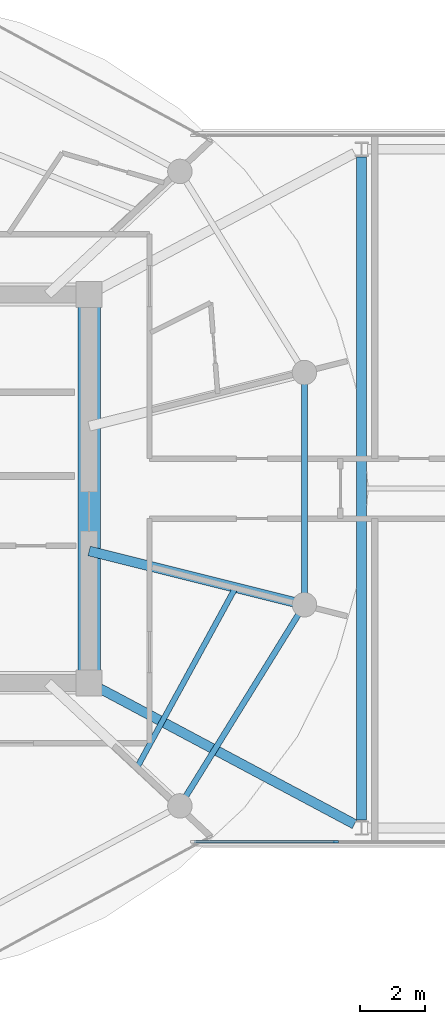
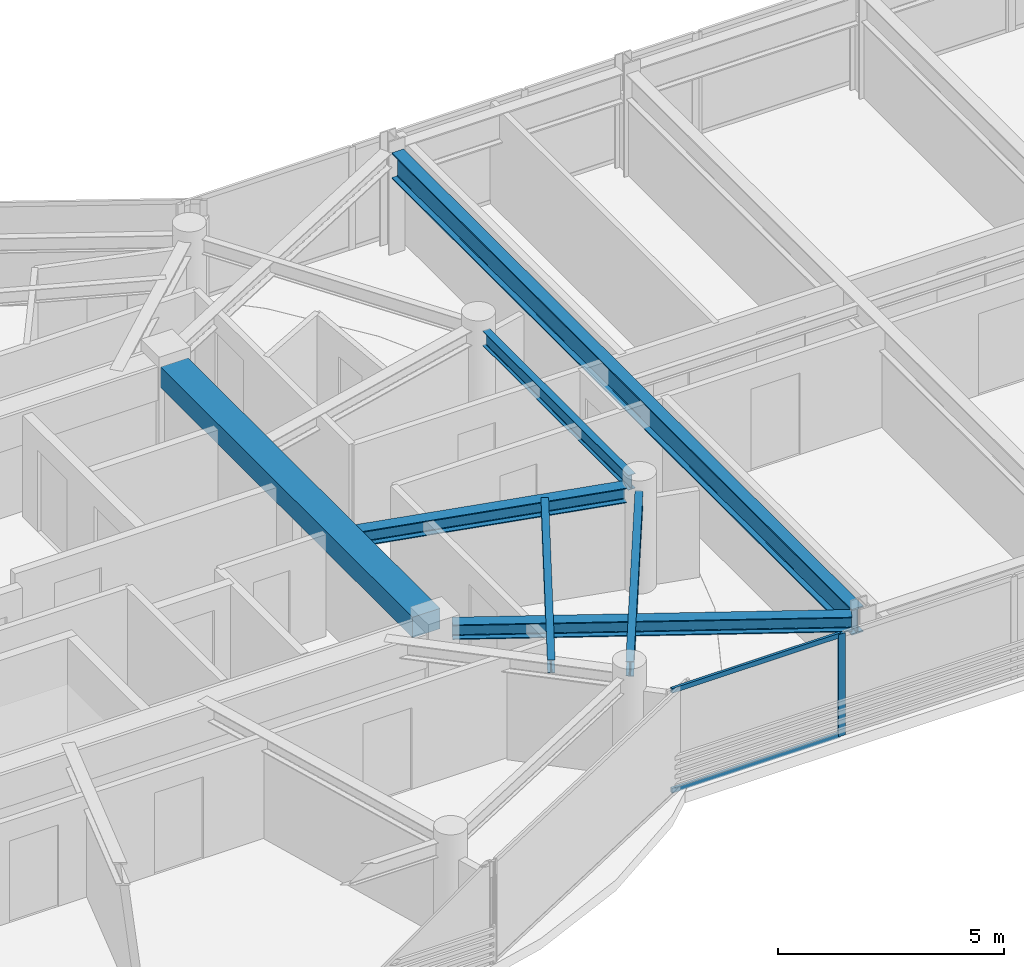
# One storey, part 4 of 24: 7 beams, 3 members, 1 element without a shape of its own.
"""IFC4 building model written with IfcOpenShell, lengths in metres."""

from ifc_helpers import new_model, si_unit, direction, frame, origin, origin_2d, place, context, subcontext, project, spatial, rectangle, i_section, extrude, source, transform, mapped, material, layer, layer_set, material_profile, profile_set, type_object, type_shapes, element, aggregate, save


model = new_model("IFC4")

# Units and contexts
model_context = context("Model", 3, precision=1e-05, world=origin(), true_north=direction((0.0, 1.0)))
body_context = subcontext(model_context, "Body", "Model", "MODEL_VIEW")
ifc_project = project(units=[si_unit("LENGTHUNIT", "METRE"), si_unit("AREAUNIT", "SQUARE_METRE"), si_unit("VOLUMEUNIT", "CUBIC_METRE"), si_unit("PLANEANGLEUNIT", "RADIAN"), si_unit("MASSUNIT", "GRAM", prefix="KILO")], contexts=[model_context])

# Site, building, storey
site_placement = place(None, origin())
site = spatial("IfcSite", under=ifc_project, at=site_placement, CompositionType="ELEMENT")
building_placement = place(site_placement, origin())
building = spatial("IfcBuilding", under=site, at=building_placement, Name="Norrkilde Senior Care Towers", CompositionType="ELEMENT")
storey_placement = place(building_placement, frame((0.0, 0.0, 213.89990234375)))
storey = spatial("IfcBuildingStorey", under=building, at=storey_placement, Name="L66", CompositionType="ELEMENT", Elevation=213.89990234375)

# Beams
ifc_material_1 = material(Name="Concrete C60/75", Category="concrete")
ifc_material_profile_1 = material_profile(ifc_material_1, rectangle(XDim=0.699951171875, YDim=0.550048828125, at=origin_2d()), Name="RC BM 700x550")
ifc_profile_set_1 = profile_set([ifc_material_profile_1], Name="Concrete C60/75")
beam_type_1 = type_object("IfcBeamType", Name="Core Portal Coupling Beam 700x550", PredefinedType="USERDEFINED", material=ifc_profile_set_1)
shared_shape_1 = source(origin(), body_context, "Body", "SweptSolid", [
    extrude(rectangle(XDim=0.699951171875, YDim=0.550048828125, at=origin_2d()), origin(), (0.0, 0.0, 1.0), 11.14013671875),
])
type_shapes(beam_type_1, [shared_shape_1])
beam_1_placement = place(storey_placement, frame((-20.35009765625, -5.570068359375, 2.485107421875), z_axis=(0.0, 1.0, 0.0), x_axis=(-1.0, 0.0, 0.0)))
element("IfcBeam", 1, at=beam_1_placement, inside=storey, type_object=beam_type_1, Name="L66 Core W E Coupling Girder", ObjectType="GIRDER", PredefinedType="USERDEFINED", context=body_context, shape_type="MappedRepresentation", body=[
    mapped(shared_shape_1, transform((0.0, 0.0, 0.0), x_axis=(1.0, 0.0, 0.0), y_axis=(0.0, 1.0, 0.0), z_axis=(0.0, 0.0, 1.0), scale=1.0)),
])
ifc_material_2 = material(Name="Steel S355", Category="steel")
ifc_material_profile_2 = material_profile(ifc_material_2, i_section(OverallWidth=0.179931640625, OverallDepth=0.39990234375, WebThickness=0.008544921875, FlangeThickness=0.013427734375, FilletRadius=0.02099609375, at=origin_2d()), Name="IPE 400")
ifc_profile_set_2 = profile_set([ifc_material_profile_2], Name="Steel S355")
beam_type_2 = type_object("IfcBeamType", Name="Perimeter Ring Spandrel Z4 IPE400", PredefinedType="SPANDREL", material=ifc_profile_set_2)
shared_shape_2 = source(origin(), body_context, "Body", "SweptSolid", [
    extrude(i_section(OverallWidth=0.179931640625, OverallDepth=0.39990234375, WebThickness=0.008544921875, FlangeThickness=0.013427734375, FilletRadius=0.02099609375, at=origin_2d()), origin(), (0.0, 0.0, 1.0), 6.58056640625),
])
beam_2_placement = place(storey_placement, frame((-17.393798828125, -9.43798828125, 2.56005859375), z_axis=(0.526529583789, 0.850156807533, 0.0), x_axis=(-0.850156807533, 0.526529583789, 0.0)))
element("IfcBeam", 2, at=beam_2_placement, inside=storey, type_object=beam_type_2, Name="L66 Drum W Perimeter Spandrel 11", PredefinedType="SPANDREL", context=body_context, shape_type="MappedRepresentation", body=[
    mapped(shared_shape_2, transform((0.0, 0.0, 0.0), x_axis=(1.0, 0.0, 0.0), y_axis=(0.0, 1.0, 0.0), z_axis=(0.0, 0.0, 1.0), scale=1.0)),
])
ifc_material_profile_3 = material_profile(ifc_material_2, i_section(OverallWidth=0.300048828125, OverallDepth=0.39990234375, WebThickness=0.013427734375, FlangeThickness=0.02392578125, FilletRadius=0.027099609375, at=origin_2d()), Name="HEB 400")
ifc_profile_set_3 = profile_set([ifc_material_profile_3], Name="Steel S355")
beam_type_3 = type_object("IfcBeamType", Name="Radial Floor Beam Z4 HEB400", PredefinedType="BEAM", material=ifc_profile_set_3)
shared_shape_3 = source(origin(), body_context, "Body", "SweptSolid", [
    extrude(i_section(OverallWidth=0.300048828125, OverallDepth=0.39990234375, WebThickness=0.013427734375, FlangeThickness=0.02392578125, FilletRadius=0.027099609375, at=origin_2d()), origin(), (0.0, 0.0, 1.0), 6.465087890625),
])
beam_3_placement = place(storey_placement, frame((-20.35009765625, -1.910888671875, 2.56005859375), z_axis=(0.970195788563, -0.242322371758, 0.0), x_axis=(0.242322371758, 0.970195788563, 0.0)))
element("IfcBeam", 3, at=beam_3_placement, inside=storey, type_object=beam_type_3, Name="L66 Drum W Radial Floor Beam 12", PredefinedType="BEAM", context=body_context, shape_type="MappedRepresentation", body=[
    mapped(shared_shape_3, transform((0.0, 0.0, 0.0), x_axis=(1.0, 0.0, 0.0), y_axis=(0.0, 1.0, 0.0), z_axis=(0.0, 0.0, 1.0), scale=1.0)),
])
shared_shape_4 = source(origin(), body_context, "Body", "SweptSolid", [
    extrude(i_section(OverallWidth=0.179931640625, OverallDepth=0.39990234375, WebThickness=0.008544921875, FlangeThickness=0.013427734375, FilletRadius=0.02099609375, at=origin_2d()), origin(), (0.0, 0.0, 1.0), 6.44775390625),
])
type_shapes(beam_type_2, [shared_shape_2, shared_shape_4])
beam_4_placement = place(storey_placement, frame((-13.752685546875, -3.223876953125, 2.56005859375), z_axis=(0.0, 1.0, 0.0), x_axis=(-1.0, 0.0, 0.0)))
element("IfcBeam", 4, at=beam_4_placement, inside=storey, type_object=beam_type_2, Name="L66 Drum W Perimeter Spandrel 12", PredefinedType="SPANDREL", context=body_context, shape_type="MappedRepresentation", body=[
    mapped(shared_shape_4, transform((0.0, 0.0, 0.0), x_axis=(1.0, 0.0, 0.0), y_axis=(0.0, 1.0, 0.0), z_axis=(0.0, 0.0, 1.0), scale=1.0)),
])
ifc_material_profile_4 = material_profile(ifc_material_2, i_section(OverallWidth=0.169921875, OverallDepth=0.360107421875, WebThickness=0.008056640625, FlangeThickness=0.0126953125, FilletRadius=0.01806640625, at=origin_2d()), Name="IPE 360")
ifc_profile_set_4 = profile_set([ifc_material_profile_4], Name="Steel S355")
beam_type_4 = type_object("IfcBeamType", Name="Secondary Floor Joist IPE360", PredefinedType="JOIST", material=ifc_profile_set_4)
shared_shape_5 = source(origin(), body_context, "Body", "SweptSolid", [
    extrude(i_section(OverallWidth=0.169921875, OverallDepth=0.360107421875, WebThickness=0.008056640625, FlangeThickness=0.0126953125, FilletRadius=0.01806640625, at=origin_2d()), origin(), (0.0, 0.0, 1.0), 6.25146484375),
])
type_shapes(beam_type_4, [shared_shape_5])
beam_5_placement = place(storey_placement, frame((-18.865234375, -8.515380859375, 2.580078125), z_axis=(0.480115752653, 0.877205143655, 0.0), x_axis=(-0.877205143655, 0.480115752653, 0.0)))
element("IfcBeam", 5, at=beam_5_placement, inside=storey, type_object=beam_type_4, Name="L66 Drum W Secondary Floor Joist 4", PredefinedType="JOIST", context=body_context, shape_type="MappedRepresentation", body=[
    mapped(shared_shape_5, transform((0.0, 0.0, 0.0), x_axis=(1.0, 0.0, 0.0), y_axis=(0.0, 1.0, 0.0), z_axis=(0.0, 0.0, 1.0), scale=1.0)),
])
ifc_material_profile_5 = material_profile(ifc_material_2, i_section(OverallWidth=0.300048828125, OverallDepth=0.699951171875, WebThickness=0.01708984375, FlangeThickness=0.031982421875, FilletRadius=0.027099609375, at=origin_2d()), Name="HEB 700")
ifc_profile_set_5 = profile_set([ifc_material_profile_5], Name="Steel S355")
beam_type_5 = type_object("IfcBeamType", Name="Bridge Cross Girder HEB700", PredefinedType="USERDEFINED", material=ifc_profile_set_5)
shared_shape_6 = source(origin(), body_context, "Body", "SweptSolid", [
    extrude(i_section(OverallWidth=0.300048828125, OverallDepth=0.699951171875, WebThickness=0.01708984375, FlangeThickness=0.031982421875, FilletRadius=0.027099609375, at=origin_2d()), origin(), (0.0, 0.0, 1.0), 20.31982421875),
])
type_shapes(beam_type_5, [shared_shape_6])
beam_6_placement = place(storey_placement, frame((-12.0, -10.159912109375, 2.41015625), z_axis=(0.0, 1.0, 0.0), x_axis=(-1.0, 0.0, 0.0)))
element("IfcBeam", 6, at=beam_6_placement, inside=storey, type_object=beam_type_5, Name="L66 Sky-Gate Bridge Cross Girder -12", ObjectType="GIRDER", PredefinedType="USERDEFINED", context=body_context, shape_type="MappedRepresentation", body=[
    mapped(shared_shape_6, transform((0.0, 0.0, 0.0), x_axis=(1.0, 0.0, 0.0), y_axis=(0.0, 1.0, 0.0), z_axis=(0.0, 0.0, 1.0), scale=1.0)),
])
shared_shape_7 = source(origin(), body_context, "Body", "SweptSolid", [
    extrude(i_section(OverallWidth=0.300048828125, OverallDepth=0.39990234375, WebThickness=0.013427734375, FlangeThickness=0.02392578125, FilletRadius=0.027099609375, at=origin_2d()), origin(), (0.0, 0.0, 1.0), 8.831787109375),
])
type_shapes(beam_type_3, [shared_shape_3, shared_shape_7])
beam_7_placement = place(storey_placement, frame((-20.0146484375, -6.128662109375, 2.56005859375), z_axis=(0.882492172381, -0.470327083727, 0.0), x_axis=(0.470327083727, 0.882492172381, 0.0)))
element("IfcBeam", 7, at=beam_7_placement, inside=storey, type_object=beam_type_3, Name="L66 Sky-Gate Bridge Girder S1", PredefinedType="BEAM", context=body_context, shape_type="MappedRepresentation", body=[
    mapped(shared_shape_7, transform((0.0, 0.0, 0.0), x_axis=(1.0, 0.0, 0.0), y_axis=(0.0, 1.0, 0.0), z_axis=(0.0, 0.0, 1.0), scale=1.0)),
])

# Curtain wall, members
ifc_material_3 = material(Name="Triple Low-E Insulated Glazing", Category="glass")
ifc_layer = layer(ifc_material_3, 0.2099609375)
ifc_layer_set = layer_set([ifc_layer], Name="Triple Low-E Insulated Glazing")
curtain_wall_type = type_object("IfcCurtainWallType", Name="CW5 Sky-Gate Bridge Curtain Wall", PredefinedType="NOTDEFINED", material=ifc_layer_set)
curtain_wall_placement = place(storey_placement, origin())
curtain_wall = element("IfcCurtainWall", 8, at=curtain_wall_placement, inside=storey, type_object=curtain_wall_type, Name="L66 Sky-Gate Bridge South Curtain Wall 3", PredefinedType="NOTDEFINED")
ifc_material_4 = material(Name="Anodised Aluminium", Category="aluminium")
ifc_material_profile_6 = material_profile(ifc_material_4, rectangle(XDim=0.06494140625, YDim=0.1298828125, at=origin_2d()), Name="ALU TRAN 65x130")
ifc_profile_set_6 = profile_set([ifc_material_profile_6], Name="Anodised Aluminium")
member_type_1 = type_object("IfcMemberType", Name="Curtain Wall Transom Heavy 65x130", PredefinedType="USERDEFINED", material=ifc_profile_set_6)
shared_shape_8 = source(origin(), body_context, "Body", "SweptSolid", [
    extrude(rectangle(XDim=0.06494140625, YDim=0.1298828125, at=origin_2d()), origin(), (0.0, 0.0, 1.0), 4.294921875),
])
type_shapes(member_type_1, [shared_shape_8])
member_1_placement = place(storey_placement, frame((-12.8349609375, -10.820068359375, 0.03271484375), z_axis=(-1.0, 0.0, 0.0), x_axis=(0.0, -1.0, 0.0)))
member_1 = element("IfcMember", 9, at=member_1_placement, type_object=member_type_1, Name="CW-5 transom 3.1", ObjectType="TRANSOM", PredefinedType="USERDEFINED", context=body_context, shape_type="MappedRepresentation", body=[
    mapped(shared_shape_8, transform((0.0, 0.0, 0.0), x_axis=(1.0, 0.0, 0.0), y_axis=(0.0, 1.0, 0.0), z_axis=(0.0, 0.0, 1.0), scale=1.0)),
])
member_2_placement = place(storey_placement, frame((-12.8349609375, -10.820068359375, 2.7275390625), z_axis=(-1.0, 0.0, 0.0), x_axis=(0.0, -1.0, 0.0)))
member_2 = element("IfcMember", 10, at=member_2_placement, type_object=member_type_1, Name="CW-5 transom 3.2", ObjectType="TRANSOM", PredefinedType="USERDEFINED", context=body_context, shape_type="MappedRepresentation", body=[
    mapped(shared_shape_8, transform((0.0, 0.0, 0.0), x_axis=(1.0, 0.0, 0.0), y_axis=(0.0, 1.0, 0.0), z_axis=(0.0, 0.0, 1.0), scale=1.0)),
])
ifc_material_profile_7 = material_profile(ifc_material_4, rectangle(XDim=0.070068359375, YDim=0.169921875, at=origin_2d()), Name="ALU MULL 70x170")
ifc_profile_set_7 = profile_set([ifc_material_profile_7], Name="Anodised Aluminium")
member_type_2 = type_object("IfcMemberType", Name="Curtain Wall Mullion Heavy 70x170", PredefinedType="MULLION", material=ifc_profile_set_7)
shared_shape_9 = source(origin(), body_context, "Body", "SweptSolid", [
    extrude(rectangle(XDim=0.070068359375, YDim=0.169921875, at=origin_2d()), origin(), (0.0, 0.0, 1.0), 2.760009765625),
])
type_shapes(member_type_2, [shared_shape_9])
member_3_placement = place(storey_placement, frame((-12.800048828125, -10.820068359375, 0.0), z_axis=(0.0, 0.0, 1.0), x_axis=(0.0, -1.0, 0.0)))
member_3 = element("IfcMember", 11, at=member_3_placement, type_object=member_type_2, Name="CW-5 mullion 3", PredefinedType="MULLION", context=body_context, shape_type="MappedRepresentation", body=[
    mapped(shared_shape_9, transform((0.0, 0.0, 0.0), x_axis=(1.0, 0.0, 0.0), y_axis=(0.0, 1.0, 0.0), z_axis=(0.0, 0.0, 1.0), scale=1.0)),
])
aggregate(curtain_wall, [member_3, member_1, member_2])

save(model, "model.ifc")
